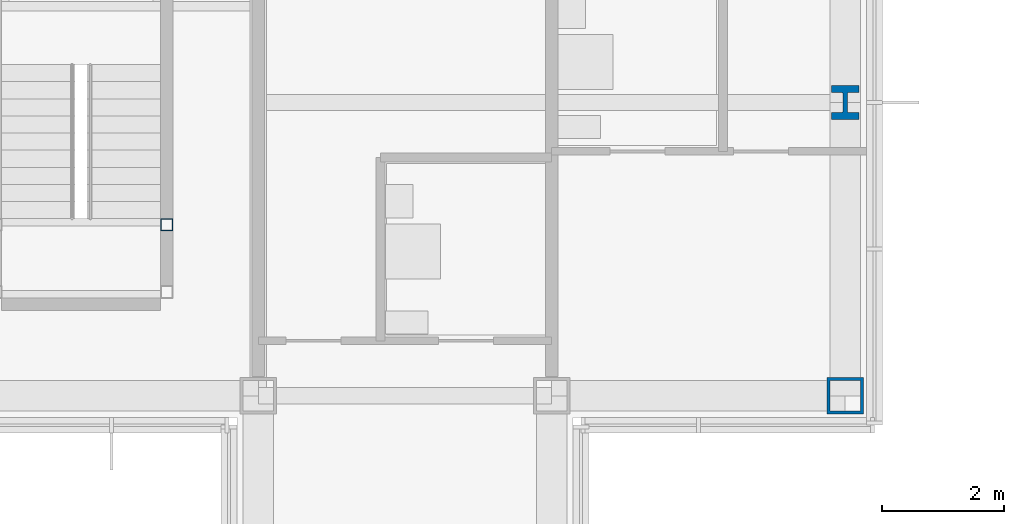
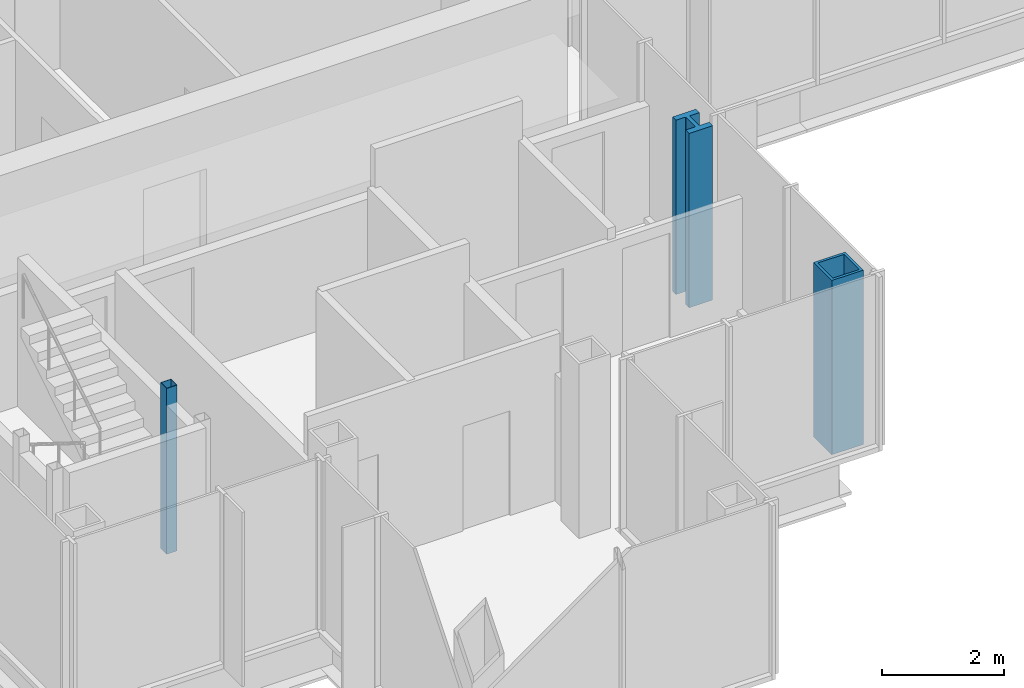
# One storey, part 2 of 15: 3 columns.
"""IFC4 building model written with IfcOpenShell, lengths in metres."""

from ifc_helpers import new_model, si_unit, direction, frame, origin, origin_2d, place, context, subcontext, project, spatial, hollow_rectangle, i_section, extrude, material, material_profile, profile_set, type_object, element, save


model = new_model("IFC4")

# Units and contexts
model_context = context("Model", 3, precision=1e-05, world=origin(), true_north=direction((0.0, 1.0)))
body_context = subcontext(model_context, "Body", "Model", "MODEL_VIEW")
ifc_project = project(units=[si_unit("LENGTHUNIT", "METRE"), si_unit("AREAUNIT", "SQUARE_METRE"), si_unit("VOLUMEUNIT", "CUBIC_METRE"), si_unit("PLANEANGLEUNIT", "RADIAN"), si_unit("MASSUNIT", "GRAM", prefix="KILO")], contexts=[model_context])

# Site, building, storey
site_placement = place(None, origin())
site = spatial("IfcSite", under=ifc_project, at=site_placement, CompositionType="ELEMENT")
building_placement = place(site_placement, origin())
building = spatial("IfcBuilding", under=site, at=building_placement, Name="Kvirike Care Tower", CompositionType="ELEMENT")
storey_placement = place(building_placement, frame((0.0, 0.0, 236.5)))
storey = spatial("IfcBuildingStorey", under=building, at=storey_placement, Name="L65", CompositionType="ELEMENT", Elevation=236.5)

# Columns
ifc_material_1 = material(Name="Steel S460", Category="steel")
ifc_material_profile_1 = material_profile(ifc_material_1, hollow_rectangle(XDim=0.60009765625, YDim=0.60009765625, WallThickness=0.050048828125, at=origin_2d()), Name="BX 600x600x50")
ifc_profile_set_1 = profile_set([ifc_material_profile_1], Name="Steel S460")
column_type_1 = type_object("IfcColumnType", Name="COLUMN BX 600x600x50", PredefinedType="COLUMN", material=ifc_profile_set_1)
column_1_placement = place(storey_placement, frame((28.800048828125, 19.199951171875, 0.0), z_axis=(0.0, 0.0, 1.0), x_axis=(0.0, 1.0, 0.0)))
element("IfcColumn", 1, at=column_1_placement, inside=storey, type_object=column_type_1, Name="Column E9 L65", PredefinedType="COLUMN", context=body_context, shape_type="SweptSolid", body=[
    extrude(hollow_rectangle(XDim=0.60009765625, YDim=0.60009765625, WallThickness=0.050048828125, at=origin_2d()), origin(), (0.0, 0.0, 1.0), 3.5),
])
ifc_material_2 = material(Name="Steel S460", Category="steel")
ifc_material_profile_2 = material_profile(ifc_material_2, i_section(OverallWidth=0.447998046875, OverallDepth=0.550048828125, WebThickness=0.072021484375, FlangeThickness=0.114990234375, FilletRadius=0.014892578125, at=origin_2d()), Name="HD 400x990")
ifc_profile_set_2 = profile_set([ifc_material_profile_2], Name="Steel S460")
column_type_2 = type_object("IfcColumnType", Name="COLUMN HD 400x990", PredefinedType="COLUMN", material=ifc_profile_set_2)
column_2_placement = place(storey_placement, frame((28.800048828125, 24.0, 0.0), z_axis=(0.0, 0.0, 1.0), x_axis=(1.0, 0.0, 0.0)))
element("IfcColumn", 2, at=column_2_placement, inside=storey, type_object=column_type_2, Name="Column F9 L65", PredefinedType="COLUMN", context=body_context, shape_type="SweptSolid", body=[
    extrude(i_section(OverallWidth=0.447998046875, OverallDepth=0.550048828125, WebThickness=0.072021484375, FlangeThickness=0.114990234375, FilletRadius=0.014892578125, at=origin_2d()), origin(), (0.0, 0.0, 1.0), 3.5),
])
ifc_material_3 = material(Name="Steel S460", Category="steel")
ifc_material_profile_3 = material_profile(ifc_material_3, hollow_rectangle(XDim=0.199951171875, YDim=0.199951171875, WallThickness=0.008056640625, at=origin_2d()), Name="SHS 200x200x8")
ifc_profile_set_3 = profile_set([ifc_material_profile_3], Name="Steel S460")
column_type_3 = type_object("IfcColumnType", Name="STAIR POST SHS 200x200x8", PredefinedType="COLUMN", material=ifc_profile_set_3)
column_3_placement = place(storey_placement, frame((17.699951171875, 22.0, 0.0), z_axis=(0.0, 0.0, 1.0), x_axis=(1.0, 0.0, 0.0)))
element("IfcColumn", 3, at=column_3_placement, inside=storey, type_object=column_type_3, Name="Stair 5 post 4 L65", PredefinedType="COLUMN", context=body_context, shape_type="SweptSolid", body=[
    extrude(hollow_rectangle(XDim=0.199951171875, YDim=0.199951171875, WallThickness=0.008056640625, at=origin_2d()), origin(), (0.0, 0.0, 1.0), 3.330078125),
])

save(model, "model.ifc")
